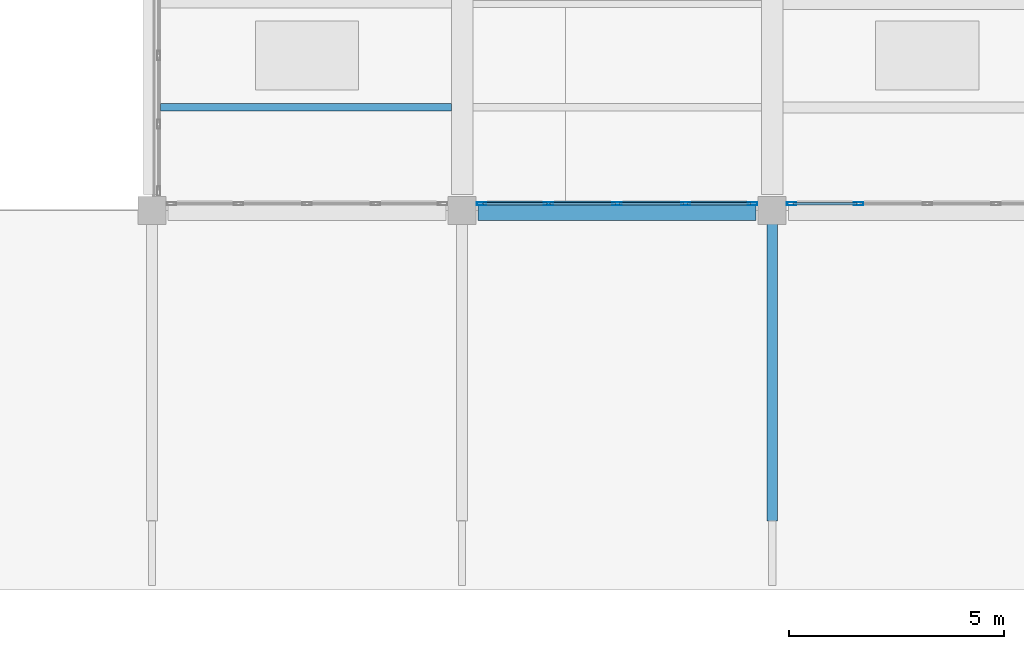
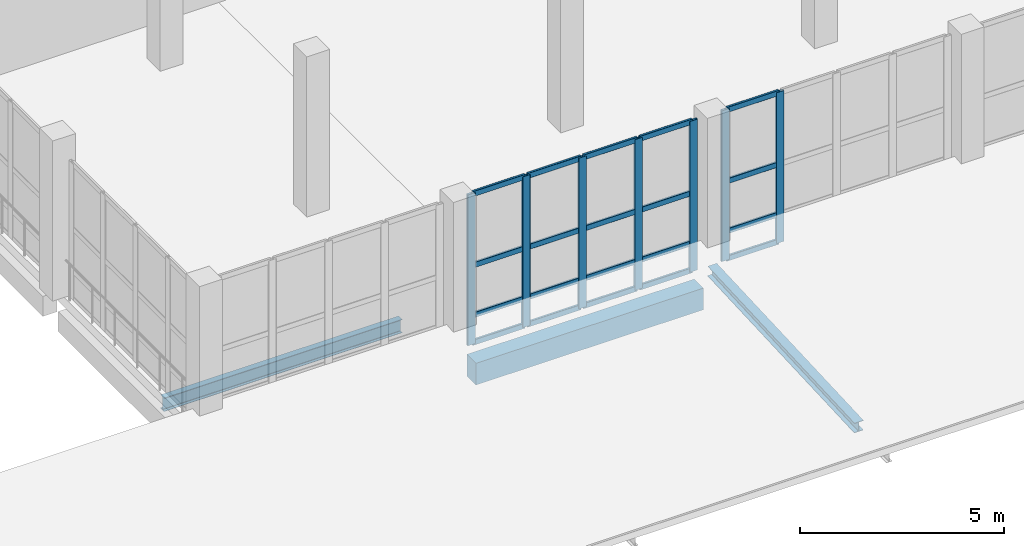
# One storey, part 28 of 127: 27 members, 3 beams, 2 elements without a shape of their own.
"""IFC4 building model written with IfcOpenShell, lengths in metres."""

from ifc_helpers import new_model, si_unit, direction, frame, origin, origin_2d, place, context, subcontext, project, spatial, rectangle, hollow_rectangle, i_section, extrude, material, material_profile, profile_set, type_object, element, aggregate, save


model = new_model("IFC4")

# Units and contexts
model_context = context("Model", 3, precision=1e-05, world=origin(), true_north=direction((0.0, 1.0)))
body_context = subcontext(model_context, "Body", "Model", "MODEL_VIEW")
ifc_project = project(units=[si_unit("LENGTHUNIT", "METRE"), si_unit("AREAUNIT", "SQUARE_METRE"), si_unit("VOLUMEUNIT", "CUBIC_METRE"), si_unit("PLANEANGLEUNIT", "RADIAN"), si_unit("MASSUNIT", "GRAM", prefix="KILO")], contexts=[model_context])

# Site, building, storey
site_placement = place(None, origin())
site = spatial("IfcSite", under=ifc_project, at=site_placement, CompositionType="ELEMENT")
building_placement = place(site_placement, origin())
building = spatial("IfcBuilding", under=site, at=building_placement, Name="Kalmorath City Hall", CompositionType="ELEMENT")
storey_placement = place(building_placement, frame((0.0, 0.0, 5.39990234375)))
storey = spatial("IfcBuildingStorey", under=building, at=storey_placement, Name="L01", CompositionType="ELEMENT", Elevation=5.39990234375)

# Beam
ifc_material_1 = material(Name="Concrete C40/50", Category="concrete")
ifc_material_profile_1 = material_profile(ifc_material_1, rectangle(XDim=0.449951171875, YDim=0.64990234375, at=origin_2d()), Name="RC-BM-450X650")
ifc_profile_set_1 = profile_set([ifc_material_profile_1], Name="Concrete C40/50")
beam_type_1 = type_object("IfcBeamType", Name="Concrete spandrel beam 450x650", PredefinedType="SPANDREL", material=ifc_profile_set_1)
beam_1_placement = place(storey_placement, frame((86.77490234375, 21.60009765625, -0.64892578125), z_axis=(1.0, 0.0, 0.0), x_axis=(0.0, 1.0, 0.0)))
element("IfcBeam", 1, at=beam_1_placement, inside=storey, type_object=beam_type_1, Name="L01 girder CB5 X13-14/4", PredefinedType="SPANDREL", context=body_context, shape_type="SweptSolid", body=[
    extrude(rectangle(XDim=0.449951171875, YDim=0.64990234375, at=origin_2d()), origin(), (0.0, 0.0, 1.0), 6.4501953125),
])

# Curtain wall, members
ifc_material_2 = material(Name="Anodised aluminium and laminated glass", Category="aluminium")
curtain_wall_type_1 = type_object("IfcCurtainWallType", Name="Unitised hurricane curtain wall 6370x4520 M1500", PredefinedType="NOTDEFINED", material=ifc_material_2)
curtain_wall_1_placement = place(storey_placement, origin())
curtain_wall_1 = element("IfcCurtainWall", 2, at=curtain_wall_1_placement, inside=storey, type_object=curtain_wall_type_1, Name="L01 curtain wall CW-64X45M15 #69", PredefinedType="NOTDEFINED")
ifc_material_3 = material(Name="Anodised aluminium framing", Category="aluminium")
ifc_material_profile_2 = material_profile(ifc_material_3, hollow_rectangle(XDim=0.074951171875, YDim=0.219970703125, WallThickness=0.00390625, InnerFilletRadius=0.00390625, OuterFilletRadius=0.008056640625, at=origin_2d()), Name="ALU-MUL-220X75X4")
ifc_profile_set_2 = profile_set([ifc_material_profile_2], Name="Anodised aluminium framing")
member_type_1 = type_object("IfcMemberType", Name="Curtain-wall primary mullion 220x75", PredefinedType="MULLION", material=ifc_profile_set_2)
member_1_placement = place(storey_placement, frame((95.607421875, 21.760009765625, 0.0), z_axis=(0.0, 0.0, 1.0), x_axis=(0.0, -1.0, 0.0)))
member_1 = element("IfcMember", 3, at=member_1_placement, type_object=member_type_1, Name="CW-64X45M15 mullion 4", PredefinedType="MULLION", context=body_context, shape_type="SweptSolid", body=[
    extrude(hollow_rectangle(XDim=0.074951171875, YDim=0.219970703125, WallThickness=0.00390625, InnerFilletRadius=0.00390625, OuterFilletRadius=0.008056640625, at=origin_2d()), origin(), (0.0, 0.0, 1.0), 4.52001953125),
])
member_2_placement = place(storey_placement, frame((94.052490234375, 21.760009765625, 0.0), z_axis=(0.0, 0.0, 1.0), x_axis=(0.0, -1.0, 0.0)))
member_2 = element("IfcMember", 4, at=member_2_placement, type_object=member_type_1, Name="CW-64X45M15 mullion 5", PredefinedType="MULLION", context=body_context, shape_type="SweptSolid", body=[
    extrude(hollow_rectangle(XDim=0.074951171875, YDim=0.219970703125, WallThickness=0.00390625, InnerFilletRadius=0.00390625, OuterFilletRadius=0.008056640625, at=origin_2d()), origin(), (0.0, 0.0, 1.0), 4.52001953125),
])

ifc_material_4 = material(Name="Anodised aluminium and laminated glass", Category="aluminium")
curtain_wall_type_2 = type_object("IfcCurtainWallType", Name="Unitised hurricane curtain wall 6370x4520 M1800", PredefinedType="NOTDEFINED", material=ifc_material_4)
curtain_wall_2_placement = place(storey_placement, origin())
curtain_wall_2 = element("IfcCurtainWall", 5, at=curtain_wall_2_placement, inside=storey, type_object=curtain_wall_type_2, Name="L01 curtain wall CW-64X45M18 #70", PredefinedType="NOTDEFINED")
member_3_placement = place(storey_placement, frame((93.1474609375, 21.760009765625, 0.0), z_axis=(0.0, 0.0, 1.0), x_axis=(0.0, -1.0, 0.0)))
member_3 = element("IfcMember", 6, at=member_3_placement, type_object=member_type_1, Name="CW-64X45M18 mullion 1", PredefinedType="MULLION", context=body_context, shape_type="SweptSolid", body=[
    extrude(hollow_rectangle(XDim=0.074951171875, YDim=0.219970703125, WallThickness=0.00390625, InnerFilletRadius=0.00390625, OuterFilletRadius=0.008056640625, at=origin_2d()), origin(), (0.0, 0.0, 1.0), 4.52001953125),
])
member_4_placement = place(storey_placement, frame((91.592529296875, 21.760009765625, 0.0), z_axis=(0.0, 0.0, 1.0), x_axis=(0.0, -1.0, 0.0)))
member_4 = element("IfcMember", 7, at=member_4_placement, type_object=member_type_1, Name="CW-64X45M18 mullion 2", PredefinedType="MULLION", context=body_context, shape_type="SweptSolid", body=[
    extrude(hollow_rectangle(XDim=0.074951171875, YDim=0.219970703125, WallThickness=0.00390625, InnerFilletRadius=0.00390625, OuterFilletRadius=0.008056640625, at=origin_2d()), origin(), (0.0, 0.0, 1.0), 4.52001953125),
])
member_5_placement = place(storey_placement, frame((90.0, 21.760009765625, 0.0), z_axis=(0.0, 0.0, 1.0), x_axis=(0.0, -1.0, 0.0)))
member_5 = element("IfcMember", 8, at=member_5_placement, type_object=member_type_1, Name="CW-64X45M18 mullion 3", PredefinedType="MULLION", context=body_context, shape_type="SweptSolid", body=[
    extrude(hollow_rectangle(XDim=0.074951171875, YDim=0.219970703125, WallThickness=0.00390625, InnerFilletRadius=0.00390625, OuterFilletRadius=0.008056640625, at=origin_2d()), origin(), (0.0, 0.0, 1.0), 4.52001953125),
])
member_6_placement = place(storey_placement, frame((88.407470703125, 21.760009765625, 0.0), z_axis=(0.0, 0.0, 1.0), x_axis=(0.0, -1.0, 0.0)))
member_6 = element("IfcMember", 9, at=member_6_placement, type_object=member_type_1, Name="CW-64X45M18 mullion 4", PredefinedType="MULLION", context=body_context, shape_type="SweptSolid", body=[
    extrude(hollow_rectangle(XDim=0.074951171875, YDim=0.219970703125, WallThickness=0.00390625, InnerFilletRadius=0.00390625, OuterFilletRadius=0.008056640625, at=origin_2d()), origin(), (0.0, 0.0, 1.0), 4.52001953125),
])
member_7_placement = place(storey_placement, frame((86.8525390625, 21.760009765625, 0.0), z_axis=(0.0, 0.0, 1.0), x_axis=(0.0, -1.0, 0.0)))
member_7 = element("IfcMember", 10, at=member_7_placement, type_object=member_type_1, Name="CW-64X45M18 mullion 5", PredefinedType="MULLION", context=body_context, shape_type="SweptSolid", body=[
    extrude(hollow_rectangle(XDim=0.074951171875, YDim=0.219970703125, WallThickness=0.00390625, InnerFilletRadius=0.00390625, OuterFilletRadius=0.008056640625, at=origin_2d()), origin(), (0.0, 0.0, 1.0), 4.52001953125),
])

# Member
ifc_material_5 = material(Name="Anodised aluminium framing", Category="aluminium")
ifc_material_profile_3 = material_profile(ifc_material_5, hollow_rectangle(XDim=0.06494140625, YDim=0.159912109375, WallThickness=0.00390625, InnerFilletRadius=0.00390625, OuterFilletRadius=0.008056640625, at=origin_2d()), Name="ALU-TRN-160X65X4")
ifc_profile_set_3 = profile_set([ifc_material_profile_3], Name="Anodised aluminium framing")
member_type_2 = type_object("IfcMemberType", Name="Curtain-wall primary transom 160x65", PredefinedType="USERDEFINED", material=ifc_profile_set_3)
member_8_placement = place(storey_placement, frame((95.570068359375, 21.760009765625, 0.03271484375), z_axis=(-1.0, 0.0, 0.0), x_axis=(0.0, -1.0, 0.0)))
member_8 = element("IfcMember", 11, at=member_8_placement, type_object=member_type_2, Name="CW-64X45M15 transom 4.1", ObjectType="TRANSOM", PredefinedType="USERDEFINED", context=body_context, shape_type="SweptSolid", body=[
    extrude(hollow_rectangle(XDim=0.06494140625, YDim=0.159912109375, WallThickness=0.00390625, InnerFilletRadius=0.00390625, OuterFilletRadius=0.008056640625, at=origin_2d()), origin(), (0.0, 0.0, 1.0), 1.47998046875),
])

member_9_placement = place(storey_placement, frame((95.570068359375, 21.760009765625, 0.85009765625), z_axis=(-1.0, 0.0, 0.0), x_axis=(0.0, -1.0, 0.0)))
member_9 = element("IfcMember", 12, at=member_9_placement, type_object=member_type_2, Name="CW-64X45M15 transom 4.2", ObjectType="TRANSOM", PredefinedType="USERDEFINED", context=body_context, shape_type="SweptSolid", body=[
    extrude(hollow_rectangle(XDim=0.06494140625, YDim=0.159912109375, WallThickness=0.00390625, InnerFilletRadius=0.00390625, OuterFilletRadius=0.008056640625, at=origin_2d()), origin(), (0.0, 0.0, 1.0), 1.47998046875),
])

member_10_placement = place(storey_placement, frame((95.570068359375, 21.760009765625, 2.35009765625), z_axis=(-1.0, 0.0, 0.0), x_axis=(0.0, -1.0, 0.0)))
member_10 = element("IfcMember", 13, at=member_10_placement, type_object=member_type_2, Name="CW-64X45M15 transom 4.3", ObjectType="TRANSOM", PredefinedType="USERDEFINED", context=body_context, shape_type="SweptSolid", body=[
    extrude(hollow_rectangle(XDim=0.06494140625, YDim=0.159912109375, WallThickness=0.00390625, InnerFilletRadius=0.00390625, OuterFilletRadius=0.008056640625, at=origin_2d()), origin(), (0.0, 0.0, 1.0), 1.47998046875),
])

member_11_placement = place(storey_placement, frame((95.570068359375, 21.760009765625, 4.487548828125), z_axis=(-1.0, 0.0, 0.0), x_axis=(0.0, -1.0, 0.0)))
member_11 = element("IfcMember", 14, at=member_11_placement, type_object=member_type_2, Name="CW-64X45M15 transom 4.4", ObjectType="TRANSOM", PredefinedType="USERDEFINED", context=body_context, shape_type="SweptSolid", body=[
    extrude(hollow_rectangle(XDim=0.06494140625, YDim=0.159912109375, WallThickness=0.00390625, InnerFilletRadius=0.00390625, OuterFilletRadius=0.008056640625, at=origin_2d()), origin(), (0.0, 0.0, 1.0), 1.47998046875),
])

aggregate(curtain_wall_1, [member_1, member_2, member_8, member_9, member_10, member_11])

member_12_placement = place(storey_placement, frame((93.110107421875, 21.760009765625, 0.03271484375), z_axis=(-1.0, 0.0, 0.0), x_axis=(0.0, -1.0, 0.0)))
member_12 = element("IfcMember", 15, at=member_12_placement, type_object=member_type_2, Name="CW-64X45M18 transom 1.1", ObjectType="TRANSOM", PredefinedType="USERDEFINED", context=body_context, shape_type="SweptSolid", body=[
    extrude(hollow_rectangle(XDim=0.06494140625, YDim=0.159912109375, WallThickness=0.00390625, InnerFilletRadius=0.00390625, OuterFilletRadius=0.008056640625, at=origin_2d()), origin(), (0.0, 0.0, 1.0), 1.480224609375),
])

member_13_placement = place(storey_placement, frame((93.110107421875, 21.760009765625, 0.85009765625), z_axis=(-1.0, 0.0, 0.0), x_axis=(0.0, -1.0, 0.0)))
member_13 = element("IfcMember", 16, at=member_13_placement, type_object=member_type_2, Name="CW-64X45M18 transom 1.2", ObjectType="TRANSOM", PredefinedType="USERDEFINED", context=body_context, shape_type="SweptSolid", body=[
    extrude(hollow_rectangle(XDim=0.06494140625, YDim=0.159912109375, WallThickness=0.00390625, InnerFilletRadius=0.00390625, OuterFilletRadius=0.008056640625, at=origin_2d()), origin(), (0.0, 0.0, 1.0), 1.480224609375),
])

member_14_placement = place(storey_placement, frame((93.110107421875, 21.760009765625, 2.35009765625), z_axis=(-1.0, 0.0, 0.0), x_axis=(0.0, -1.0, 0.0)))
member_14 = element("IfcMember", 17, at=member_14_placement, type_object=member_type_2, Name="CW-64X45M18 transom 1.3", ObjectType="TRANSOM", PredefinedType="USERDEFINED", context=body_context, shape_type="SweptSolid", body=[
    extrude(hollow_rectangle(XDim=0.06494140625, YDim=0.159912109375, WallThickness=0.00390625, InnerFilletRadius=0.00390625, OuterFilletRadius=0.008056640625, at=origin_2d()), origin(), (0.0, 0.0, 1.0), 1.480224609375),
])

member_15_placement = place(storey_placement, frame((93.110107421875, 21.760009765625, 4.487548828125), z_axis=(-1.0, 0.0, 0.0), x_axis=(0.0, -1.0, 0.0)))
member_15 = element("IfcMember", 18, at=member_15_placement, type_object=member_type_2, Name="CW-64X45M18 transom 1.4", ObjectType="TRANSOM", PredefinedType="USERDEFINED", context=body_context, shape_type="SweptSolid", body=[
    extrude(hollow_rectangle(XDim=0.06494140625, YDim=0.159912109375, WallThickness=0.00390625, InnerFilletRadius=0.00390625, OuterFilletRadius=0.008056640625, at=origin_2d()), origin(), (0.0, 0.0, 1.0), 1.480224609375),
])

member_16_placement = place(storey_placement, frame((91.554931640625, 21.760009765625, 0.03271484375), z_axis=(-1.0, 0.0, 0.0), x_axis=(0.0, -1.0, 0.0)))
member_16 = element("IfcMember", 19, at=member_16_placement, type_object=member_type_2, Name="CW-64X45M18 transom 2.1", ObjectType="TRANSOM", PredefinedType="USERDEFINED", context=body_context, shape_type="SweptSolid", body=[
    extrude(hollow_rectangle(XDim=0.06494140625, YDim=0.159912109375, WallThickness=0.00390625, InnerFilletRadius=0.00390625, OuterFilletRadius=0.008056640625, at=origin_2d()), origin(), (0.0, 0.0, 1.0), 1.517333984375),
])

member_17_placement = place(storey_placement, frame((91.554931640625, 21.760009765625, 0.85009765625), z_axis=(-1.0, 0.0, 0.0), x_axis=(0.0, -1.0, 0.0)))
member_17 = element("IfcMember", 20, at=member_17_placement, type_object=member_type_2, Name="CW-64X45M18 transom 2.2", ObjectType="TRANSOM", PredefinedType="USERDEFINED", context=body_context, shape_type="SweptSolid", body=[
    extrude(hollow_rectangle(XDim=0.06494140625, YDim=0.159912109375, WallThickness=0.00390625, InnerFilletRadius=0.00390625, OuterFilletRadius=0.008056640625, at=origin_2d()), origin(), (0.0, 0.0, 1.0), 1.517333984375),
])

member_18_placement = place(storey_placement, frame((91.554931640625, 21.760009765625, 2.35009765625), z_axis=(-1.0, 0.0, 0.0), x_axis=(0.0, -1.0, 0.0)))
member_18 = element("IfcMember", 21, at=member_18_placement, type_object=member_type_2, Name="CW-64X45M18 transom 2.3", ObjectType="TRANSOM", PredefinedType="USERDEFINED", context=body_context, shape_type="SweptSolid", body=[
    extrude(hollow_rectangle(XDim=0.06494140625, YDim=0.159912109375, WallThickness=0.00390625, InnerFilletRadius=0.00390625, OuterFilletRadius=0.008056640625, at=origin_2d()), origin(), (0.0, 0.0, 1.0), 1.517333984375),
])

member_19_placement = place(storey_placement, frame((91.554931640625, 21.760009765625, 4.487548828125), z_axis=(-1.0, 0.0, 0.0), x_axis=(0.0, -1.0, 0.0)))
member_19 = element("IfcMember", 22, at=member_19_placement, type_object=member_type_2, Name="CW-64X45M18 transom 2.4", ObjectType="TRANSOM", PredefinedType="USERDEFINED", context=body_context, shape_type="SweptSolid", body=[
    extrude(hollow_rectangle(XDim=0.06494140625, YDim=0.159912109375, WallThickness=0.00390625, InnerFilletRadius=0.00390625, OuterFilletRadius=0.008056640625, at=origin_2d()), origin(), (0.0, 0.0, 1.0), 1.517333984375),
])

member_20_placement = place(storey_placement, frame((89.96240234375, 21.760009765625, 0.03271484375), z_axis=(-1.0, 0.0, 0.0), x_axis=(0.0, -1.0, 0.0)))
member_20 = element("IfcMember", 23, at=member_20_placement, type_object=member_type_2, Name="CW-64X45M18 transom 3.1", ObjectType="TRANSOM", PredefinedType="USERDEFINED", context=body_context, shape_type="SweptSolid", body=[
    extrude(hollow_rectangle(XDim=0.06494140625, YDim=0.159912109375, WallThickness=0.00390625, InnerFilletRadius=0.00390625, OuterFilletRadius=0.008056640625, at=origin_2d()), origin(), (0.0, 0.0, 1.0), 1.517333984375),
])

member_21_placement = place(storey_placement, frame((89.96240234375, 21.760009765625, 0.85009765625), z_axis=(-1.0, 0.0, 0.0), x_axis=(0.0, -1.0, 0.0)))
member_21 = element("IfcMember", 24, at=member_21_placement, type_object=member_type_2, Name="CW-64X45M18 transom 3.2", ObjectType="TRANSOM", PredefinedType="USERDEFINED", context=body_context, shape_type="SweptSolid", body=[
    extrude(hollow_rectangle(XDim=0.06494140625, YDim=0.159912109375, WallThickness=0.00390625, InnerFilletRadius=0.00390625, OuterFilletRadius=0.008056640625, at=origin_2d()), origin(), (0.0, 0.0, 1.0), 1.517333984375),
])

member_22_placement = place(storey_placement, frame((89.96240234375, 21.760009765625, 2.35009765625), z_axis=(-1.0, 0.0, 0.0), x_axis=(0.0, -1.0, 0.0)))
member_22 = element("IfcMember", 25, at=member_22_placement, type_object=member_type_2, Name="CW-64X45M18 transom 3.3", ObjectType="TRANSOM", PredefinedType="USERDEFINED", context=body_context, shape_type="SweptSolid", body=[
    extrude(hollow_rectangle(XDim=0.06494140625, YDim=0.159912109375, WallThickness=0.00390625, InnerFilletRadius=0.00390625, OuterFilletRadius=0.008056640625, at=origin_2d()), origin(), (0.0, 0.0, 1.0), 1.517333984375),
])

member_23_placement = place(storey_placement, frame((89.96240234375, 21.760009765625, 4.487548828125), z_axis=(-1.0, 0.0, 0.0), x_axis=(0.0, -1.0, 0.0)))
member_23 = element("IfcMember", 26, at=member_23_placement, type_object=member_type_2, Name="CW-64X45M18 transom 3.4", ObjectType="TRANSOM", PredefinedType="USERDEFINED", context=body_context, shape_type="SweptSolid", body=[
    extrude(hollow_rectangle(XDim=0.06494140625, YDim=0.159912109375, WallThickness=0.00390625, InnerFilletRadius=0.00390625, OuterFilletRadius=0.008056640625, at=origin_2d()), origin(), (0.0, 0.0, 1.0), 1.517333984375),
])

member_24_placement = place(storey_placement, frame((88.3701171875, 21.760009765625, 0.03271484375), z_axis=(-1.0, 0.0, 0.0), x_axis=(0.0, -1.0, 0.0)))
member_24 = element("IfcMember", 27, at=member_24_placement, type_object=member_type_2, Name="CW-64X45M18 transom 4.1", ObjectType="TRANSOM", PredefinedType="USERDEFINED", context=body_context, shape_type="SweptSolid", body=[
    extrude(hollow_rectangle(XDim=0.06494140625, YDim=0.159912109375, WallThickness=0.00390625, InnerFilletRadius=0.00390625, OuterFilletRadius=0.008056640625, at=origin_2d()), origin(), (0.0, 0.0, 1.0), 1.480224609375),
])

member_25_placement = place(storey_placement, frame((88.3701171875, 21.760009765625, 0.85009765625), z_axis=(-1.0, 0.0, 0.0), x_axis=(0.0, -1.0, 0.0)))
member_25 = element("IfcMember", 28, at=member_25_placement, type_object=member_type_2, Name="CW-64X45M18 transom 4.2", ObjectType="TRANSOM", PredefinedType="USERDEFINED", context=body_context, shape_type="SweptSolid", body=[
    extrude(hollow_rectangle(XDim=0.06494140625, YDim=0.159912109375, WallThickness=0.00390625, InnerFilletRadius=0.00390625, OuterFilletRadius=0.008056640625, at=origin_2d()), origin(), (0.0, 0.0, 1.0), 1.480224609375),
])

member_26_placement = place(storey_placement, frame((88.3701171875, 21.760009765625, 2.35009765625), z_axis=(-1.0, 0.0, 0.0), x_axis=(0.0, -1.0, 0.0)))
member_26 = element("IfcMember", 29, at=member_26_placement, type_object=member_type_2, Name="CW-64X45M18 transom 4.3", ObjectType="TRANSOM", PredefinedType="USERDEFINED", context=body_context, shape_type="SweptSolid", body=[
    extrude(hollow_rectangle(XDim=0.06494140625, YDim=0.159912109375, WallThickness=0.00390625, InnerFilletRadius=0.00390625, OuterFilletRadius=0.008056640625, at=origin_2d()), origin(), (0.0, 0.0, 1.0), 1.480224609375),
])

member_27_placement = place(storey_placement, frame((88.3701171875, 21.760009765625, 4.487548828125), z_axis=(-1.0, 0.0, 0.0), x_axis=(0.0, -1.0, 0.0)))
member_27 = element("IfcMember", 30, at=member_27_placement, type_object=member_type_2, Name="CW-64X45M18 transom 4.4", ObjectType="TRANSOM", PredefinedType="USERDEFINED", context=body_context, shape_type="SweptSolid", body=[
    extrude(hollow_rectangle(XDim=0.06494140625, YDim=0.159912109375, WallThickness=0.00390625, InnerFilletRadius=0.00390625, OuterFilletRadius=0.008056640625, at=origin_2d()), origin(), (0.0, 0.0, 1.0), 1.480224609375),
])

aggregate(curtain_wall_2, [member_3, member_4, member_5, member_6, member_7, member_12, member_13, member_14, member_15, member_16, member_17, member_18, member_19, member_20, member_21, member_22, member_23, member_24, member_25, member_26, member_27])

# Beams
ifc_material_6 = material(Name="Steel ASTM A992 Grade 50", Category="steel")
ifc_material_profile_4 = material_profile(ifc_material_6, i_section(OverallWidth=0.25390625, OverallDepth=0.305908203125, WebThickness=0.0087890625, FlangeThickness=0.0146484375, FilletRadius=0.014892578125, at=origin_2d()), Name="W12X53")
ifc_profile_set_4 = profile_set([ifc_material_profile_4], Name="Steel ASTM A992 Grade 50")
beam_type_2 = type_object("IfcBeamType", Name="Steel canopy beam W12X53", PredefinedType="BEAM", material=ifc_profile_set_4)
beam_2_placement = place(storey_placement, frame((93.60009765625, 14.39990234375, -0.3798828125), z_axis=(0.0, 0.998886377864, 0.047180548093), x_axis=(-1.0, 0.0, 0.0)))
element("IfcBeam", 31, at=beam_2_placement, inside=storey, type_object=beam_type_2, Name="Storm arcade canopy beam SJ11-9", PredefinedType="BEAM", context=body_context, shape_type="SweptSolid", body=[
    extrude(i_section(OverallWidth=0.25390625, OverallDepth=0.305908203125, WebThickness=0.0087890625, FlangeThickness=0.0146484375, FilletRadius=0.014892578125, at=origin_2d()), origin(), (0.0, 0.0, 1.0), 7.208251953125),
])
ifc_material_7 = material(Name="Steel ASTM A992 Grade 50", Category="steel")
ifc_material_profile_5 = material_profile(ifc_material_7, i_section(OverallWidth=0.177001953125, OverallDepth=0.403076171875, WebThickness=0.007568359375, FlangeThickness=0.010986328125, FilletRadius=0.012939453125, at=origin_2d()), Name="W16X36")
ifc_profile_set_5 = profile_set([ifc_material_profile_5], Name="Steel ASTM A992 Grade 50")
beam_type_3 = type_object("IfcBeamType", Name="Steel composite joist W16X36", PredefinedType="JOIST", material=ifc_profile_set_5)
beam_3_placement = place(storey_placement, frame((79.39990234375, 24.0, -0.525390625), z_axis=(1.0, 0.0, 0.0), x_axis=(0.0, 1.0, 0.0)))
element("IfcBeam", 32, at=beam_3_placement, inside=storey, type_object=beam_type_3, Name="L01 joist SJ7 12.4.1", PredefinedType="JOIST", context=body_context, shape_type="SweptSolid", body=[
    extrude(i_section(OverallWidth=0.177001953125, OverallDepth=0.403076171875, WebThickness=0.007568359375, FlangeThickness=0.010986328125, FilletRadius=0.012939453125, at=origin_2d()), origin(), (0.0, 0.0, 1.0), 6.75),
])

save(model, "model.ifc")
